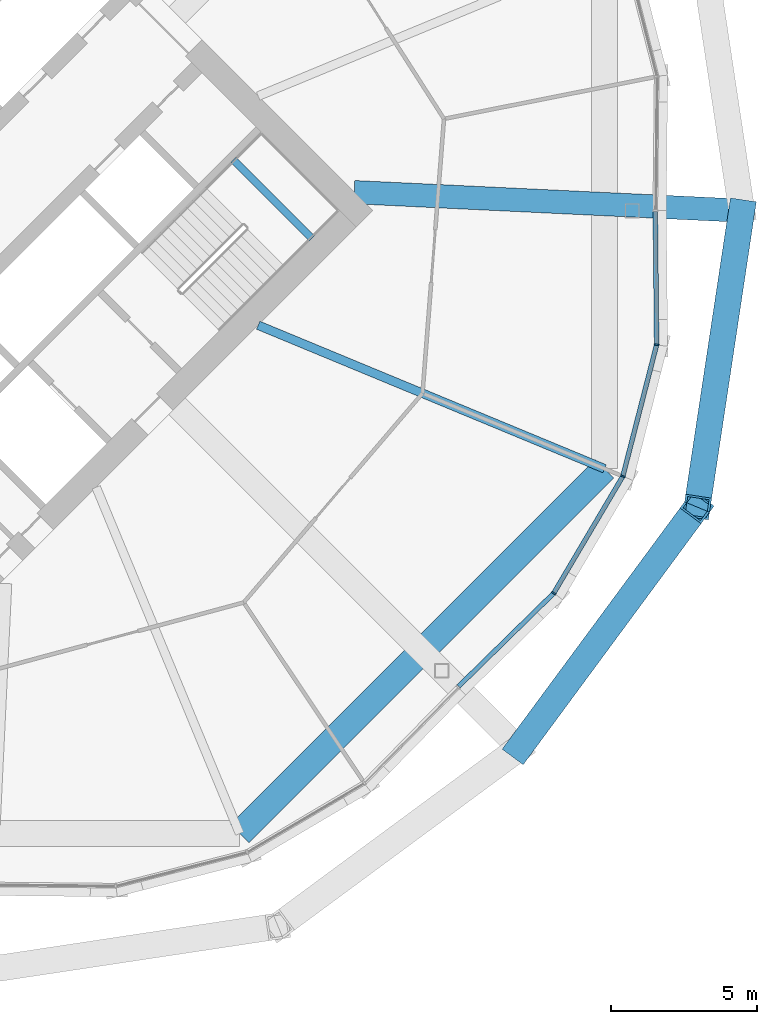
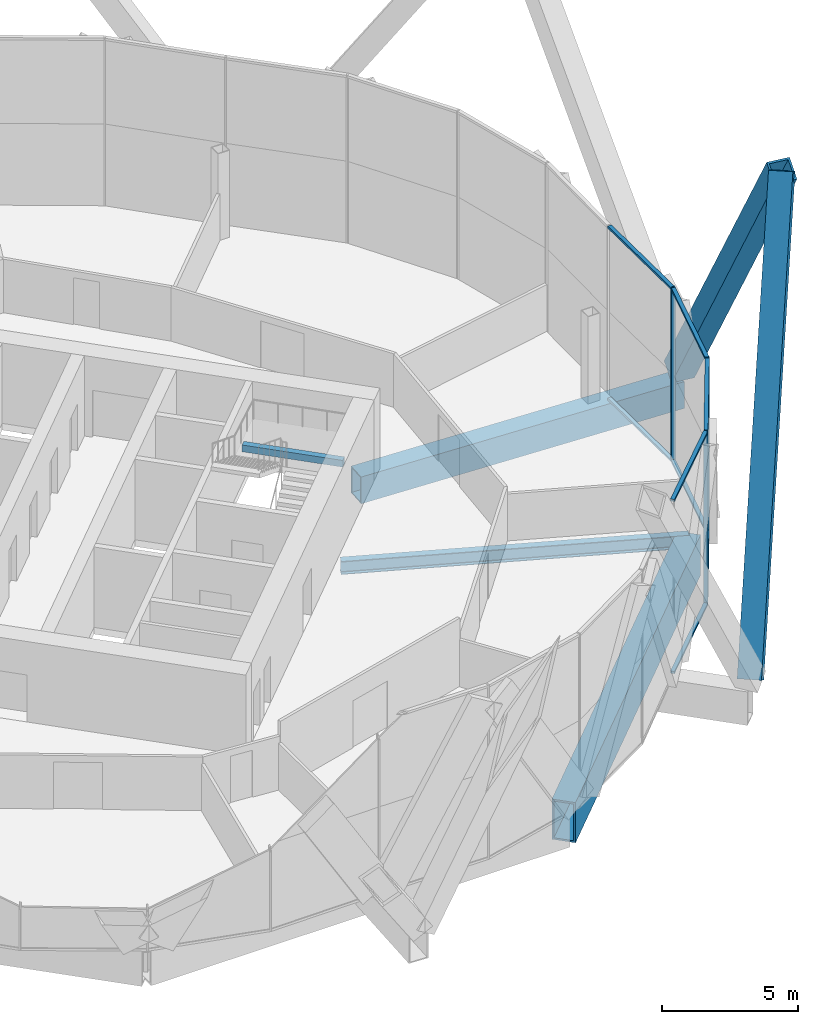
# One storey, part 14 of 28: 13 members, 4 beams, 1 element without a shape of its own.
"""IFC4 building model written with IfcOpenShell, lengths in metres."""

from ifc_helpers import new_model, si_unit, direction, frame, origin, origin_2d, place, context, subcontext, project, spatial, rectangle, hollow_rectangle, i_section, extrude, material, material_profile, profile_set, type_object, element, aggregate, save


model = new_model("IFC4")

# Units and contexts
model_context = context("Model", 3, precision=1e-05, world=origin(), true_north=direction((0.0, 1.0)))
body_context = subcontext(model_context, "Body", "Model", "MODEL_VIEW")
ifc_project = project(units=[si_unit("LENGTHUNIT", "METRE"), si_unit("AREAUNIT", "SQUARE_METRE"), si_unit("VOLUMEUNIT", "CUBIC_METRE"), si_unit("PLANEANGLEUNIT", "RADIAN"), si_unit("MASSUNIT", "GRAM", prefix="KILO")], contexts=[model_context])

# Site, building, storey
site_placement = place(None, origin())
site = spatial("IfcSite", under=ifc_project, at=site_placement, CompositionType="ELEMENT")
building_placement = place(site_placement, origin())
building = spatial("IfcBuilding", under=site, at=building_placement, Name="Ogive Gate Towers", CompositionType="ELEMENT")
storey_placement = place(building_placement, frame((0.0, 0.0, 115.199951171875)))
storey = spatial("IfcBuildingStorey", under=building, at=storey_placement, Name="L27", CompositionType="ELEMENT", Elevation=115.199951171875)

# Members
ifc_material_1 = material(Name="Steel SM460", Category="steel")
ifc_material_profile_1 = material_profile(ifc_material_1, hollow_rectangle(XDim=0.89990234375, YDim=0.89990234375, WallThickness=0.080078125, at=origin_2d()), Name="BX 900x900x80")
ifc_profile_set_1 = profile_set([ifc_material_profile_1], Name="Steel SM460")
member_type_1 = type_object("IfcMemberType", Name="Diagrid diagonal BX 900x900x80", PredefinedType="BRACE", material=ifc_profile_set_1)
for number, where, z_axis, x_axis, name in (
    (1, (62.110107421875, 0.0, 0.0), (-0.082121961007, -0.544627829519, 0.834647536889), (0.988822121876, -0.149100004323, 0.0), "T2/L27/SDG001"),
    (2, (54.462646484375, -18.462646484375, 0.0), (0.327039025082, 0.443175302272, 0.83465030254), (-0.804631811944, 0.593774070845, 0.0), "T2/L27/SDG016"),
):
    element("IfcMember", number, at=place(storey_placement, frame(where, z_axis=z_axis, x_axis=x_axis)), inside=storey, type_object=member_type_1, Name=name, PredefinedType="BRACE", context=body_context, shape_type="SweptSolid", body=[
        extrude(hollow_rectangle(XDim=0.89990234375, YDim=0.89990234375, WallThickness=0.080078125, at=origin_2d()), origin(), (0.0, 0.0, 1.0), 18.690673828125),
    ])

# Beams
ifc_material_profile_2 = material_profile(ifc_material_1, hollow_rectangle(XDim=0.89990234375, YDim=1.800048828125, WallThickness=0.080078125, at=origin_2d()), Name="BX 1800x900x80")
ifc_profile_set_2 = profile_set([ifc_material_profile_2], Name="Steel SM460")
beam_type_1 = type_object("IfcBeamType", Name="Edge girder BX 1800x900x80", PredefinedType="BEAM", material=ifc_profile_set_2)
beam_1_placement = place(storey_placement, frame((44.863037109375, -21.39697265625, -1.199951171875), z_axis=(0.707106781187, 0.707106781187, 0.0), x_axis=(-0.707106781187, 0.707106781187, 0.0)))
element("IfcBeam", 3, at=beam_1_placement, inside=storey, type_object=beam_type_1, Name="T2/L27/SBM019", PredefinedType="BEAM", context=body_context, shape_type="SweptSolid", body=[
    extrude(hollow_rectangle(XDim=0.89990234375, YDim=1.800048828125, WallThickness=0.080078125, at=origin_2d()), origin(), (0.0, 0.0, 1.0), 17.7255859375),
])
ifc_material_2 = material(Name="Concrete C40/50", Category="concrete")
ifc_material_profile_3 = material_profile(ifc_material_2, rectangle(XDim=0.25, YDim=0.300048828125, at=origin_2d()), Name="RC 250x300")
ifc_profile_set_3 = profile_set([ifc_material_profile_3], Name="Concrete C40/50")
beam_type_2 = type_object("IfcBeamType", Name="Landing bearer RC 250x300", PredefinedType="BEAM", material=ifc_profile_set_3)
beam_2_placement = place(storey_placement, frame((47.349609375, -0.9541015625, 1.60009765625), z_axis=(-0.707106781187, 0.707106781187, 0.0), x_axis=(-0.707106781187, -0.707106781187, 0.0)))
element("IfcBeam", 4, at=beam_2_placement, inside=storey, type_object=beam_type_2, Name="T2 L27 stair 2 landing bearer 1", PredefinedType="BEAM", context=body_context, shape_type="SweptSolid", body=[
    extrude(rectangle(XDim=0.25, YDim=0.300048828125, at=origin_2d()), origin(), (0.0, 0.0, 1.0), 3.824951171875),
])
ifc_material_3 = material(Name="Steel SM355", Category="steel")
ifc_material_profile_4 = material_profile(ifc_material_3, i_section(OverallWidth=0.300048828125, OverallDepth=0.590087890625, WebThickness=0.012939453125, FlangeThickness=0.02490234375, FilletRadius=0.027099609375, at=origin_2d()), Name="HE 600 A")
ifc_profile_set_4 = profile_set([ifc_material_profile_4], Name="Steel SM355")
beam_type_3 = type_object("IfcBeamType", Name="Radial floor beam HE 600 A", PredefinedType="BEAM", material=ifc_profile_set_4)
beam_3_placement = place(storey_placement, frame((45.5, -3.93505859375, -0.594970703125), z_axis=(0.923877031545, -0.382689470177, 0.0), x_axis=(0.382689470177, 0.923877031545, 0.0)))
element("IfcBeam", 5, at=beam_3_placement, inside=storey, type_object=beam_type_3, Name="T2/L27/SBM007", PredefinedType="BEAM", context=body_context, shape_type="SweptSolid", body=[
    extrude(i_section(OverallWidth=0.300048828125, OverallDepth=0.590087890625, WebThickness=0.012939453125, FlangeThickness=0.02490234375, FilletRadius=0.027099609375, at=origin_2d()), origin(), (0.0, 0.0, 1.0), 12.877197265625),
])

# Curtain wall, members
ifc_material_4 = material(Name="Pale metal aluminium", Category="aluminium")
curtain_wall_type = type_object("IfcCurtainWallType", Name="Tower unitised wall, low zone", PredefinedType="NOTDEFINED", material=ifc_material_4)
curtain_wall_placement = place(storey_placement, origin())
curtain_wall = element("IfcCurtainWall", 6, at=curtain_wall_placement, inside=storey, type_object=curtain_wall_type, Name="CW1 T2 ECW08", PredefinedType="NOTDEFINED")
ifc_material_profile_5 = material_profile(ifc_material_4, rectangle(XDim=0.159912109375, YDim=0.06005859375, at=origin_2d()), Name="60 x 160 aluminium box")
ifc_profile_set_5 = profile_set([ifc_material_profile_5], Name="Pale metal aluminium")
member_type_2 = type_object("IfcMemberType", Name="Tower unitised wall, low zone mullion 60 x 160", PredefinedType="MULLION", material=ifc_profile_set_5)
member_1_placement = place(storey_placement, frame((55.653076171875, -13.13916015625, -0.300048828125), z_axis=(0.0, 0.0, 1.0), x_axis=(0.787085768775, -0.616843572223, 0.0)))
member_1 = element("IfcMember", 7, at=member_1_placement, type_object=member_type_2, Name="CW1 mullion", PredefinedType="MULLION", context=body_context, shape_type="SweptSolid", body=[
    extrude(rectangle(XDim=0.159912109375, YDim=0.06005859375, at=origin_2d()), origin(), (0.0, 0.0, 1.0), 7.800048828125),
])
member_2_placement = place(storey_placement, frame((58.026123046875, -9.12353515625, -0.300048828125), z_axis=(0.0, 0.0, 1.0), x_axis=(0.923879532511, -0.382683432365, 0.0)))
member_2 = element("IfcMember", 8, at=member_2_placement, type_object=member_type_2, Name="CW1 mullion", PredefinedType="MULLION", context=body_context, shape_type="SweptSolid", body=[
    extrude(rectangle(XDim=0.159912109375, YDim=0.06005859375, at=origin_2d()), origin(), (0.0, 0.0, 1.0), 7.800048828125),
])
member_3_placement = place(storey_placement, frame((59.1875, -4.606201171875, -0.300048828125), z_axis=(0.0, 0.0, 1.0), x_axis=(0.992727957326, -0.120379411626, 0.0)))
member_3 = element("IfcMember", 9, at=member_3_placement, type_object=member_type_2, Name="CW1 mullion", PredefinedType="MULLION", context=body_context, shape_type="SweptSolid", body=[
    extrude(rectangle(XDim=0.159912109375, YDim=0.06005859375, at=origin_2d()), origin(), (0.0, 0.0, 1.0), 7.800048828125),
])
ifc_material_profile_6 = material_profile(ifc_material_4, rectangle(XDim=0.159912109375, YDim=0.10009765625, at=origin_2d()), Name="100 x 160 aluminium box")
ifc_profile_set_6 = profile_set([ifc_material_profile_6], Name="Pale metal aluminium")
member_type_3 = type_object("IfcMemberType", Name="Tower unitised wall, low zone transom 100 x 160", PredefinedType="USERDEFINED", material=ifc_profile_set_6)
member_4_placement = place(storey_placement, frame((52.384033203125, -16.34130859375, 7.449951171875), z_axis=(0.714342153972, 0.699796604064, 0.0), x_axis=(-0.699796604064, 0.714342153972, 0.0)))
member_4 = element("IfcMember", 10, at=member_4_placement, type_object=member_type_3, Name="CW1 transom", ObjectType="TRANSOM", PredefinedType="USERDEFINED", context=body_context, shape_type="SweptSolid", body=[
    extrude(rectangle(XDim=0.159912109375, YDim=0.10009765625, at=origin_2d()), origin(), (0.0, 0.0, 1.0), 4.548583984375),
])
member_5_placement = place(storey_placement, frame((52.384033203125, -16.34130859375, -0.25), z_axis=(0.714342153972, 0.699796604064, 0.0), x_axis=(-0.699796604064, 0.714342153972, 0.0)))
member_5 = element("IfcMember", 11, at=member_5_placement, type_object=member_type_3, Name="CW1 transom", ObjectType="TRANSOM", PredefinedType="USERDEFINED", context=body_context, shape_type="SweptSolid", body=[
    extrude(rectangle(XDim=0.159912109375, YDim=0.10009765625, at=origin_2d()), origin(), (0.0, 0.0, 1.0), 4.548583984375),
])
member_6_placement = place(storey_placement, frame((55.666748046875, -13.115478515625, 7.449951171875), z_axis=(0.508798898164, 0.860885405398, 0.0), x_axis=(-0.860885405398, 0.508798898164, 0.0)))
member_6 = element("IfcMember", 12, at=member_6_placement, type_object=member_type_3, Name="CW1 transom", ObjectType="TRANSOM", PredefinedType="USERDEFINED", context=body_context, shape_type="SweptSolid", body=[
    extrude(rectangle(XDim=0.159912109375, YDim=0.10009765625, at=origin_2d()), origin(), (0.0, 0.0, 1.0), 4.60986328125),
])
member_7_placement = place(storey_placement, frame((55.666748046875, -13.115478515625, -0.25), z_axis=(0.508798898164, 0.860885405398, 0.0), x_axis=(-0.860885405398, 0.508798898164, 0.0)))
member_7 = element("IfcMember", 13, at=member_7_placement, type_object=member_type_3, Name="CW1 transom", ObjectType="TRANSOM", PredefinedType="USERDEFINED", context=body_context, shape_type="SweptSolid", body=[
    extrude(rectangle(XDim=0.159912109375, YDim=0.10009765625, at=origin_2d()), origin(), (0.0, 0.0, 1.0), 4.60986328125),
])
member_8_placement = place(storey_placement, frame((58.03271484375, -9.09716796875, 7.449951171875), z_axis=(0.249022588577, 0.968497677012, 0.0), x_axis=(-0.968497677012, 0.249022588577, 0.0)))
member_8 = element("IfcMember", 14, at=member_8_placement, type_object=member_type_3, Name="CW1 transom", ObjectType="TRANSOM", PredefinedType="USERDEFINED", context=body_context, shape_type="SweptSolid", body=[
    extrude(rectangle(XDim=0.159912109375, YDim=0.10009765625, at=origin_2d()), origin(), (0.0, 0.0, 1.0), 4.60986328125),
])
member_9_placement = place(storey_placement, frame((58.03271484375, -9.09716796875, -0.25), z_axis=(0.249022588577, 0.968497677012, 0.0), x_axis=(-0.968497677012, 0.249022588577, 0.0)))
member_9 = element("IfcMember", 15, at=member_9_placement, type_object=member_type_3, Name="CW1 transom", ObjectType="TRANSOM", PredefinedType="USERDEFINED", context=body_context, shape_type="SweptSolid", body=[
    extrude(rectangle(XDim=0.159912109375, YDim=0.10009765625, at=origin_2d()), origin(), (0.0, 0.0, 1.0), 4.60986328125),
])
member_10_placement = place(storey_placement, frame((59.18701171875, -4.57861328125, 7.449951171875), z_axis=(-0.010251742504, 0.999947449507, 0.0), x_axis=(-0.999947449507, -0.010251742504, 0.0)))
member_10 = element("IfcMember", 16, at=member_10_placement, type_object=member_type_3, Name="CW1 transom", ObjectType="TRANSOM", PredefinedType="USERDEFINED", context=body_context, shape_type="SweptSolid", body=[
    extrude(rectangle(XDim=0.159912109375, YDim=0.10009765625, at=origin_2d()), origin(), (0.0, 0.0, 1.0), 4.548583984375),
])
member_11_placement = place(storey_placement, frame((59.18701171875, -4.57861328125, -0.25), z_axis=(-0.010251742504, 0.999947449507, 0.0), x_axis=(-0.999947449507, -0.010251742504, 0.0)))
member_11 = element("IfcMember", 17, at=member_11_placement, type_object=member_type_3, Name="CW1 transom", ObjectType="TRANSOM", PredefinedType="USERDEFINED", context=body_context, shape_type="SweptSolid", body=[
    extrude(rectangle(XDim=0.159912109375, YDim=0.10009765625, at=origin_2d()), origin(), (0.0, 0.0, 1.0), 4.548583984375),
])
aggregate(curtain_wall, [member_1, member_4, member_5, member_2, member_6, member_7, member_3, member_8, member_9, member_10, member_11])

# Beam
ifc_material_profile_7 = material_profile(ifc_material_1, hollow_rectangle(XDim=0.800048828125, YDim=1.199951171875, WallThickness=0.050048828125, at=origin_2d()), Name="BX 1200x800x50")
ifc_profile_set_7 = profile_set([ifc_material_profile_7], Name="Steel SM460")
beam_type_4 = type_object("IfcBeamType", Name="Transfer radial beam BX 1200x800x50", PredefinedType="BEAM", material=ifc_profile_set_7)
beam_4_placement = place(storey_placement, frame((48.798583984375, 0.636474609375, -0.89990234375), z_axis=(0.998858876163, -0.047759245289, 0.0), x_axis=(0.047759245289, 0.998858876163, 0.0)))
element("IfcBeam", 18, at=beam_4_placement, inside=storey, type_object=beam_type_4, Name="T2/L27/SBM008", PredefinedType="BEAM", context=body_context, shape_type="SweptSolid", body=[
    extrude(hollow_rectangle(XDim=0.800048828125, YDim=1.199951171875, WallThickness=0.050048828125, at=origin_2d()), origin(), (0.0, 0.0, 1.0), 13.32666015625),
])

save(model, "model.ifc")
